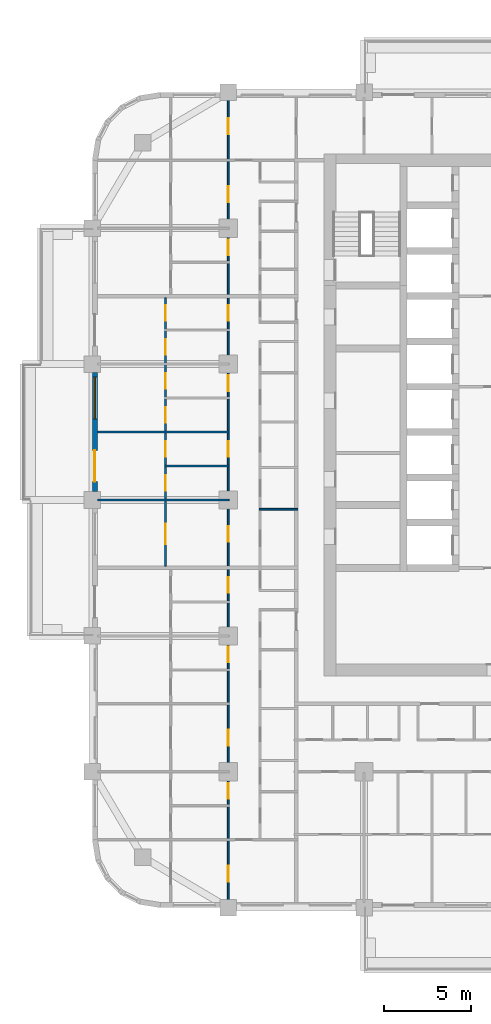
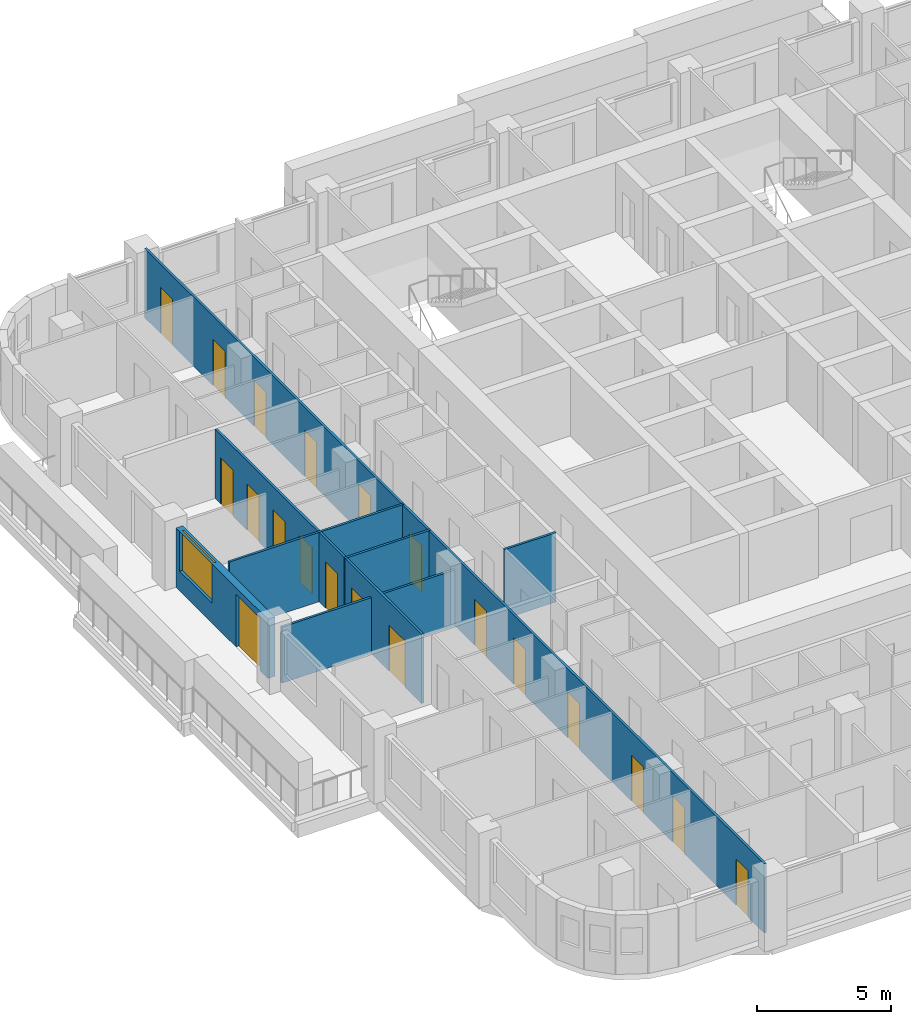
# One storey, part 5 of 17: 20 doors, 7 walls, 1 window, 21 openings.
"""IFC4 building model written with IfcOpenShell, lengths in metres."""

from ifc_helpers import new_model, si_unit, direction, frame, frame_2d, origin, place, context, subcontext, project, spatial, rectangle, extrude, material, layer, layer_set, type_object, element, fill, save


model = new_model("IFC4")

# Units and contexts
model_context = context("Model", 3, precision=1e-05, world=origin(), true_north=direction((0.0, 1.0)))
body_context = subcontext(model_context, "Body", "Model", "MODEL_VIEW")
ifc_project = project(units=[si_unit("LENGTHUNIT", "METRE"), si_unit("AREAUNIT", "SQUARE_METRE"), si_unit("VOLUMEUNIT", "CUBIC_METRE"), si_unit("PLANEANGLEUNIT", "RADIAN"), si_unit("MASSUNIT", "GRAM", prefix="KILO")], contexts=[model_context])

# Site, building, storey
site_placement = place(None, origin())
site = spatial("IfcSite", under=ifc_project, at=site_placement, CompositionType="ELEMENT")
building_placement = place(site_placement, origin())
building = spatial("IfcBuilding", under=site, at=building_placement, Name="Ludao Terraces", CompositionType="ELEMENT")
storey_placement = place(building_placement, frame((0.0, 0.0, 85.199951171875)))
storey = spatial("IfcBuildingStorey", under=building, at=storey_placement, Name="L23", CompositionType="ELEMENT", Elevation=85.199951171875)

# Wall, openings, door, window
ifc_material_1 = material(Name="Granite cladding", Category="masonry")
ifc_layer_1 = layer(ifc_material_1, 0.0400390625, Category="stone")
ifc_material_2 = material(Name="Mineral wool")
ifc_layer_2 = layer(ifc_material_2, 0.06005859375)
ifc_material_3 = material(Name="Concrete C40", Category="concrete")
ifc_layer_3 = layer(ifc_material_3, 0.199951171875, Category="concrete")
ifc_layer_set_1 = layer_set([ifc_layer_1, ifc_layer_2, ifc_layer_3], Name="ENV Stone-clad wall 300")
wall_type_1 = type_object("IfcWallType", Name="ENV Stone-clad wall 300", PredefinedType="SOLIDWALL", material=ifc_layer_set_1)
wall_1_placement = place(storey_placement, frame((61.75, 65.47509765625, 0.0), z_axis=(0.0, 0.0, 1.0), x_axis=(0.0, 1.0, 0.0)))
wall_1 = element("IfcWall", 1, at=wall_1_placement, inside=storey, type_object=wall_type_1, Name="EW-L23-W4", PredefinedType="SOLIDWALL", context=body_context, shape_type="SweptSolid", body=[
    extrude(rectangle(XDim=6.849853515625, YDim=0.300048828125, at=frame_2d((3.4248046875, 0.0))), origin(), (0.0, 0.0, 1.0), 2.699951171875),
])
opening_1_placement = place(wall_1_placement, frame((0.574951171875, 0.0, 0.0)))
opening_1 = element("IfcOpeningElement", 2, at=opening_1_placement, cuts=wall_1, Name="Opening BD", PredefinedType="OPENING", context=body_context, shape_type="SweptSolid", body=[
    extrude(rectangle(XDim=1.800048828125, YDim=2.39990234375, at=frame_2d((0.89990234375, 1.199951171875))), frame((0.0, 0.16015625, 0.0), z_axis=(0.0, -1.0, 0.0), x_axis=(1.0, 0.0, 0.0)), (0.0, 0.0, 1.0), 0.320068359375),
])
opening_2_placement = place(wall_1_placement, frame((4.175048828125, 0.0, 0.89990234375)))
opening_2 = element("IfcOpeningElement", 3, at=opening_2_placement, cuts=wall_1, Name="Opening W1", PredefinedType="OPENING", context=body_context, shape_type="SweptSolid", body=[
    extrude(rectangle(XDim=2.39990234375, YDim=1.800048828125, at=frame_2d((1.199951171875, 0.89990234375))), frame((0.0, 0.16015625, 0.0), z_axis=(0.0, -1.0, 0.0), x_axis=(1.0, 0.0, 0.0)), (0.0, 0.0, 1.0), 0.320068359375),
])
ifc_material_4 = material(Name="Aluminium glazed door", Category="aluminium")
ifc_layer_4 = layer(ifc_material_4, 0.06005859375)
ifc_layer_set_2 = layer_set([ifc_layer_4], Name="ENV Balcony door BD 1800x2400")
door_type_1 = type_object("IfcDoorType", Name="ENV Balcony door BD 1800x2400", OperationType="DOUBLE_DOOR_SINGLE_SWING", PredefinedType="DOOR", material=ifc_layer_set_2)
door_1_placement = place(opening_1_placement, origin())
door_1 = element("IfcDoor", 4, at=door_1_placement, inside=storey, type_object=door_type_1, Name="BD-L23-W4-1", OperationType="DOUBLE_DOOR_SINGLE_SWING", OverallHeight=2.39990234375, OverallWidth=1.800048828125, PredefinedType="DOOR", context=body_context, shape_type="SweptSolid", body=[
    extrude(rectangle(XDim=1.800048828125, YDim=2.39990234375, at=frame_2d((0.89990234375, 1.199951171875))), frame((0.0, 0.02490234375, 0.0), z_axis=(0.0, -1.0, 0.0), x_axis=(1.0, 0.0, 0.0)), (0.0, 0.0, 1.0), 0.050048828125),
])
fill(opening_1, door_1)
ifc_material_5 = material(Name="Clear glass in aluminium frame", Category="aluminium")
ifc_layer_5 = layer(ifc_material_5, 0.06005859375)
ifc_layer_set_3 = layer_set([ifc_layer_5], Name="ENV Window W1 2400x1800")
window_type = type_object("IfcWindowType", Name="ENV Window W1 2400x1800", PartitioningType="DOUBLE_PANEL_VERTICAL", PredefinedType="WINDOW", material=ifc_layer_set_3)
window_placement = place(opening_2_placement, origin())
window = element("IfcWindow", 5, at=window_placement, inside=storey, type_object=window_type, Name="W-L23-W4-2", OverallHeight=1.800048828125, OverallWidth=2.39990234375, PartitioningType="DOUBLE_PANEL_VERTICAL", PredefinedType="WINDOW", context=body_context, shape_type="SweptSolid", body=[
    extrude(rectangle(XDim=2.39990234375, YDim=1.800048828125, at=frame_2d((1.199951171875, 0.89990234375))), frame((0.0, 0.030029296875, 0.0), z_axis=(0.0, -1.0, 0.0), x_axis=(1.0, 0.0, 0.0)), (0.0, 0.0, 1.0), 0.06005859375),
])
fill(opening_2, window)

# Walls
ifc_material_6 = material(Name="Gypsum plasterboard", Category="gypsum")
ifc_layer_6 = layer(ifc_material_6, 0.012451171875, Category="gypsum")
ifc_layer_7 = layer(ifc_material_2, 0.06005859375, Name="insulation")
ifc_material_7 = material(Name="Steel Q235", Category="steel")
ifc_layer_8 = layer(ifc_material_7, 0.014892578125, Name="stud")
ifc_layer_9 = layer(ifc_material_6, 0.012451171875, Category="gypsum")
ifc_layer_set_4 = layer_set([ifc_layer_6, ifc_layer_7, ifc_layer_8, ifc_layer_9], Name="INT Partition 100")
wall_type_2 = type_object("IfcWallType", Name="INT Partition 100", PredefinedType="PARTITIONING", material=ifc_layer_set_4)
wall_2_placement = place(storey_placement, frame((71.18017578125, 64.469970703125, 0.0), z_axis=(0.0, 0.0, 1.0), x_axis=(1.0, 0.0, 0.0)))
element("IfcWall", 6, at=wall_2_placement, inside=storey, type_object=wall_type_2, Name="PW-L23-PW037", PredefinedType="PARTITIONING", context=body_context, shape_type="SweptSolid", body=[
    extrude(rectangle(XDim=2.219970703125, YDim=0.10009765625, at=frame_2d((1.10986328125, 0.0))), origin(), (0.0, 0.0, 1.0), 3.150146484375),
])
wall_3_placement = place(storey_placement, frame((61.900146484375, 65.0, 0.0), z_axis=(0.0, 0.0, 1.0), x_axis=(1.0, 0.0, 0.0)))
element("IfcWall", 7, at=wall_3_placement, inside=storey, type_object=wall_type_2, Name="PW-L23-PW038", PredefinedType="PARTITIONING", context=body_context, shape_type="SweptSolid", body=[
    extrude(rectangle(XDim=7.550048828125, YDim=0.10009765625, at=frame_2d((3.77490234375, 0.0))), origin(), (0.0, 0.0, 1.0), 2.550048828125),
])
wall_4_placement = place(storey_placement, frame((65.75, 66.949951171875, 0.0), z_axis=(0.0, 0.0, 1.0), x_axis=(1.0, 0.0, 0.0)))
element("IfcWall", 8, at=wall_4_placement, inside=storey, type_object=wall_type_2, Name="PW-L23-PW043", PredefinedType="PARTITIONING", context=body_context, shape_type="SweptSolid", body=[
    extrude(rectangle(XDim=3.7001953125, YDim=0.10009765625, at=frame_2d((1.85009765625, 0.0))), origin(), (0.0, 0.0, 1.0), 3.150146484375),
])
wall_5_placement = place(storey_placement, frame((61.900146484375, 68.89990234375, 0.0), z_axis=(0.0, 0.0, 1.0), x_axis=(1.0, 0.0, 0.0)))
element("IfcWall", 9, at=wall_5_placement, inside=storey, type_object=wall_type_2, Name="PW-L23-PW045", PredefinedType="PARTITIONING", context=body_context, shape_type="SweptSolid", body=[
    extrude(rectangle(XDim=7.550048828125, YDim=0.10009765625, at=frame_2d((3.77490234375, 0.0))), origin(), (0.0, 0.0, 1.0), 3.150146484375),
])

# Wall, openings, doors
wall_6_placement = place(storey_placement, frame((65.800048828125, 61.2001953125, 0.0), z_axis=(0.0, 0.0, 1.0), x_axis=(0.0, 1.0, 0.0)))
wall_6 = element("IfcWall", 10, at=wall_6_placement, inside=storey, type_object=wall_type_2, Name="PW-L23-PW079", PredefinedType="PARTITIONING", context=body_context, shape_type="SweptSolid", body=[
    extrude(rectangle(XDim=15.39990234375, YDim=0.10009765625, at=frame_2d((7.699951171875, 0.0))), origin(), (0.0, 0.0, 1.0), 3.150146484375),
])
opening_3_placement = place(wall_6_placement, frame((1.25, 0.0, 0.0)))
opening_3 = element("IfcOpeningElement", 11, at=opening_3_placement, cuts=wall_6, Name="Opening R07-078", PredefinedType="OPENING", context=body_context, shape_type="SweptSolid", body=[
    extrude(rectangle(XDim=1.199951171875, YDim=2.10009765625, at=frame_2d((0.60009765625, 1.050048828125))), frame((0.0, 0.06005859375, 0.0), z_axis=(0.0, -1.0, 0.0), x_axis=(1.0, 0.0, 0.0)), (0.0, 0.0, 1.0), 0.1201171875),
])
opening_4_placement = place(wall_6_placement, frame((4.324951171875, 0.0, 0.0)))
opening_4 = element("IfcOpeningElement", 12, at=opening_4_placement, cuts=wall_6, Name="Opening R07-086", PredefinedType="OPENING", context=body_context, shape_type="SweptSolid", body=[
    extrude(rectangle(XDim=0.89990234375, YDim=2.10009765625, at=frame_2d((0.449951171875, 1.050048828125))), frame((0.0, 0.06005859375, 0.0), z_axis=(0.0, -1.0, 0.0), x_axis=(1.0, 0.0, 0.0)), (0.0, 0.0, 1.0), 0.1201171875),
])
opening_5_placement = place(wall_6_placement, frame((6.27490234375, 0.0, 0.0)))
opening_5 = element("IfcOpeningElement", 13, at=opening_5_placement, cuts=wall_6, Name="Opening R07-094", PredefinedType="OPENING", context=body_context, shape_type="SweptSolid", body=[
    extrude(rectangle(XDim=0.89990234375, YDim=2.10009765625, at=frame_2d((0.449951171875, 1.050048828125))), frame((0.0, 0.06005859375, 0.0), z_axis=(0.0, -1.0, 0.0), x_axis=(1.0, 0.0, 0.0)), (0.0, 0.0, 1.0), 0.1201171875),
])
opening_6_placement = place(wall_6_placement, frame((8.224853515625, 0.0, 0.0)))
opening_6 = element("IfcOpeningElement", 14, at=opening_6_placement, cuts=wall_6, Name="Opening R07-098", PredefinedType="OPENING", context=body_context, shape_type="SweptSolid", body=[
    extrude(rectangle(XDim=0.89990234375, YDim=2.10009765625, at=frame_2d((0.449951171875, 1.050048828125))), frame((0.0, 0.06005859375, 0.0), z_axis=(0.0, -1.0, 0.0), x_axis=(1.0, 0.0, 0.0)), (0.0, 0.0, 1.0), 0.1201171875),
])
opening_7_placement = place(wall_6_placement, frame((10.1748046875, 0.0, 0.0)))
opening_7 = element("IfcOpeningElement", 15, at=opening_7_placement, cuts=wall_6, Name="Opening R07-106", PredefinedType="OPENING", context=body_context, shape_type="SweptSolid", body=[
    extrude(rectangle(XDim=0.89990234375, YDim=2.10009765625, at=frame_2d((0.449951171875, 1.050048828125))), frame((0.0, 0.06005859375, 0.0), z_axis=(0.0, -1.0, 0.0), x_axis=(1.0, 0.0, 0.0)), (0.0, 0.0, 1.0), 0.1201171875),
])
opening_8_placement = place(wall_6_placement, frame((12.125, 0.0, 0.0)))
opening_8 = element("IfcOpeningElement", 16, at=opening_8_placement, cuts=wall_6, Name="Opening R07-113", PredefinedType="OPENING", context=body_context, shape_type="SweptSolid", body=[
    extrude(rectangle(XDim=0.89990234375, YDim=2.10009765625, at=frame_2d((0.449951171875, 1.050048828125))), frame((0.0, 0.06005859375, 0.0), z_axis=(0.0, -1.0, 0.0), x_axis=(1.0, 0.0, 0.0)), (0.0, 0.0, 1.0), 0.1201171875),
])
opening_9_placement = place(wall_6_placement, frame((14.074951171875, 0.0, 0.0)))
opening_9 = element("IfcOpeningElement", 17, at=opening_9_placement, cuts=wall_6, Name="Opening R07-121", PredefinedType="OPENING", context=body_context, shape_type="SweptSolid", body=[
    extrude(rectangle(XDim=0.89990234375, YDim=2.10009765625, at=frame_2d((0.449951171875, 1.050048828125))), frame((0.0, 0.06005859375, 0.0), z_axis=(0.0, -1.0, 0.0), x_axis=(1.0, 0.0, 0.0)), (0.0, 0.0, 1.0), 0.1201171875),
])
ifc_material_8 = material(Name="Timber door leaf", Category="wood")
door_type_2 = type_object("IfcDoorType", Name="INT Bathroom door 900", OperationType="SINGLE_SWING_LEFT", PredefinedType="DOOR", material=ifc_material_8)
door_2_placement = place(opening_4_placement, origin())
door_2 = element("IfcDoor", 18, at=door_2_placement, inside=storey, type_object=door_type_2, Name="DOOR 086", OperationType="SINGLE_SWING_LEFT", OverallHeight=2.10009765625, OverallWidth=0.89990234375, PredefinedType="DOOR", context=body_context, shape_type="SweptSolid", body=[
    extrude(rectangle(XDim=0.89990234375, YDim=2.10009765625, at=frame_2d((0.449951171875, 1.050048828125))), frame((0.0, 0.02490234375, 0.0), z_axis=(0.0, -1.0, 0.0), x_axis=(1.0, 0.0, 0.0)), (0.0, 0.0, 1.0), 0.050048828125),
])
fill(opening_4, door_2)
door_3_placement = place(opening_6_placement, origin())
door_3 = element("IfcDoor", 19, at=door_3_placement, inside=storey, type_object=door_type_2, Name="DOOR 098", OperationType="SINGLE_SWING_RIGHT", OverallHeight=2.10009765625, OverallWidth=0.89990234375, PredefinedType="DOOR", context=body_context, shape_type="SweptSolid", body=[
    extrude(rectangle(XDim=0.89990234375, YDim=2.10009765625, at=frame_2d((0.449951171875, 1.050048828125))), frame((0.0, 0.02490234375, 0.0), z_axis=(0.0, -1.0, 0.0), x_axis=(1.0, 0.0, 0.0)), (0.0, 0.0, 1.0), 0.050048828125),
])
fill(opening_6, door_3)
door_4_placement = place(opening_8_placement, origin())
door_4 = element("IfcDoor", 20, at=door_4_placement, inside=storey, type_object=door_type_2, Name="DOOR 113", OperationType="SINGLE_SWING_RIGHT", OverallHeight=2.10009765625, OverallWidth=0.89990234375, PredefinedType="DOOR", context=body_context, shape_type="SweptSolid", body=[
    extrude(rectangle(XDim=0.89990234375, YDim=2.10009765625, at=frame_2d((0.449951171875, 1.050048828125))), frame((0.0, 0.02490234375, 0.0), z_axis=(0.0, -1.0, 0.0), x_axis=(1.0, 0.0, 0.0)), (0.0, 0.0, 1.0), 0.050048828125),
])
fill(opening_8, door_4)
door_type_3 = type_object("IfcDoorType", Name="INT Double door 1200", OperationType="DOUBLE_DOOR_SINGLE_SWING", PredefinedType="DOOR", material=ifc_material_8)
door_5_placement = place(opening_3_placement, origin())
door_5 = element("IfcDoor", 21, at=door_5_placement, inside=storey, type_object=door_type_3, Name="DOOR 078", OperationType="DOUBLE_DOOR_SINGLE_SWING", OverallHeight=2.10009765625, OverallWidth=1.199951171875, PredefinedType="DOOR", context=body_context, shape_type="SweptSolid", body=[
    extrude(rectangle(XDim=1.199951171875, YDim=2.10009765625, at=frame_2d((0.60009765625, 1.050048828125))), frame((0.0, 0.02490234375, 0.0), z_axis=(0.0, -1.0, 0.0), x_axis=(1.0, 0.0, 0.0)), (0.0, 0.0, 1.0), 0.050048828125),
])
fill(opening_3, door_5)
door_type_4 = type_object("IfcDoorType", Name="INT Room door 900", OperationType="SINGLE_SWING_LEFT", PredefinedType="DOOR", material=ifc_material_8)
door_6_placement = place(opening_5_placement, origin())
door_6 = element("IfcDoor", 22, at=door_6_placement, inside=storey, type_object=door_type_4, Name="DOOR 094", OperationType="SINGLE_SWING_RIGHT", OverallHeight=2.10009765625, OverallWidth=0.89990234375, PredefinedType="DOOR", context=body_context, shape_type="SweptSolid", body=[
    extrude(rectangle(XDim=0.89990234375, YDim=2.10009765625, at=frame_2d((0.449951171875, 1.050048828125))), frame((0.0, 0.02490234375, 0.0), z_axis=(0.0, -1.0, 0.0), x_axis=(1.0, 0.0, 0.0)), (0.0, 0.0, 1.0), 0.050048828125),
])
fill(opening_5, door_6)
door_7_placement = place(opening_7_placement, origin())
door_7 = element("IfcDoor", 23, at=door_7_placement, inside=storey, type_object=door_type_4, Name="DOOR 106", OperationType="SINGLE_SWING_LEFT", OverallHeight=2.10009765625, OverallWidth=0.89990234375, PredefinedType="DOOR", context=body_context, shape_type="SweptSolid", body=[
    extrude(rectangle(XDim=0.89990234375, YDim=2.10009765625, at=frame_2d((0.449951171875, 1.050048828125))), frame((0.0, 0.02490234375, 0.0), z_axis=(0.0, -1.0, 0.0), x_axis=(1.0, 0.0, 0.0)), (0.0, 0.0, 1.0), 0.050048828125),
])
fill(opening_7, door_7)
door_8_placement = place(opening_9_placement, origin())
door_8 = element("IfcDoor", 24, at=door_8_placement, inside=storey, type_object=door_type_4, Name="DOOR 121", OperationType="SINGLE_SWING_LEFT", OverallHeight=2.10009765625, OverallWidth=0.89990234375, PredefinedType="DOOR", context=body_context, shape_type="SweptSolid", body=[
    extrude(rectangle(XDim=0.89990234375, YDim=2.10009765625, at=frame_2d((0.449951171875, 1.050048828125))), frame((0.0, 0.02490234375, 0.0), z_axis=(0.0, -1.0, 0.0), x_axis=(1.0, 0.0, 0.0)), (0.0, 0.0, 1.0), 0.050048828125),
])
fill(opening_9, door_8)

wall_7_placement = place(storey_placement, frame((69.39990234375, 41.900146484375, 0.0), z_axis=(0.0, 0.0, 1.0), x_axis=(0.0, 1.0, 0.0)))
wall_7 = element("IfcWall", 25, at=wall_7_placement, inside=storey, type_object=wall_type_2, Name="PW-L23-PW082", PredefinedType="PARTITIONING", context=body_context, shape_type="SweptSolid", body=[
    extrude(rectangle(XDim=46.199951171875, YDim=0.10009765625, at=frame_2d((23.10009765625, 0.0))), origin(), (0.0, 0.0, 1.0), 3.150146484375),
])
opening_10_placement = place(wall_7_placement, frame((1.199951171875, 0.0, 0.0)))
opening_10 = element("IfcOpeningElement", 26, at=opening_10_placement, cuts=wall_7, Name="Opening R07-002", PredefinedType="OPENING", context=body_context, shape_type="SweptSolid", body=[
    extrude(rectangle(XDim=0.89990234375, YDim=2.10009765625, at=frame_2d((0.449951171875, 1.050048828125))), frame((0.0, 0.06005859375, 0.0), z_axis=(0.0, -1.0, 0.0), x_axis=(1.0, 0.0, 0.0)), (0.0, 0.0, 1.0), 0.1201171875),
])
opening_11_placement = place(wall_7_placement, frame((5.949951171875, 0.0, 0.0)))
opening_11 = element("IfcOpeningElement", 27, at=opening_11_placement, cuts=wall_7, Name="Opening R07-022", PredefinedType="OPENING", context=body_context, shape_type="SweptSolid", body=[
    extrude(rectangle(XDim=0.89990234375, YDim=2.10009765625, at=frame_2d((0.449951171875, 1.050048828125))), frame((0.0, 0.06005859375, 0.0), z_axis=(0.0, -1.0, 0.0), x_axis=(1.0, 0.0, 0.0)), (0.0, 0.0, 1.0), 0.1201171875),
])
opening_12_placement = place(wall_7_placement, frame((9.0, 0.0, 0.0)))
opening_12 = element("IfcOpeningElement", 28, at=opening_12_placement, cuts=wall_7, Name="Opening R07-042", PredefinedType="OPENING", context=body_context, shape_type="SweptSolid", body=[
    extrude(rectangle(XDim=0.89990234375, YDim=2.10009765625, at=frame_2d((0.449951171875, 1.050048828125))), frame((0.0, 0.06005859375, 0.0), z_axis=(0.0, -1.0, 0.0), x_axis=(1.0, 0.0, 0.0)), (0.0, 0.0, 1.0), 0.1201171875),
])
opening_13_placement = place(wall_7_placement, frame((13.77490234375, 0.0, 0.0)))
opening_13 = element("IfcOpeningElement", 29, at=opening_13_placement, cuts=wall_7, Name="Opening R07-054", PredefinedType="OPENING", context=body_context, shape_type="SweptSolid", body=[
    extrude(rectangle(XDim=0.89990234375, YDim=2.10009765625, at=frame_2d((0.449951171875, 1.050048828125))), frame((0.0, 0.06005859375, 0.0), z_axis=(0.0, -1.0, 0.0), x_axis=(1.0, 0.0, 0.0)), (0.0, 0.0, 1.0), 0.1201171875),
])
opening_14_placement = place(wall_7_placement, frame((17.77490234375, 0.0, 0.0)))
opening_14 = element("IfcOpeningElement", 30, at=opening_14_placement, cuts=wall_7, Name="Opening R07-067", PredefinedType="OPENING", context=body_context, shape_type="SweptSolid", body=[
    extrude(rectangle(XDim=0.89990234375, YDim=2.10009765625, at=frame_2d((0.449951171875, 1.050048828125))), frame((0.0, 0.06005859375, 0.0), z_axis=(0.0, -1.0, 0.0), x_axis=(1.0, 0.0, 0.0)), (0.0, 0.0, 1.0), 0.1201171875),
])
opening_15_placement = place(wall_7_placement, frame((20.699951171875, 0.0, 0.0)))
opening_15 = element("IfcOpeningElement", 31, at=opening_15_placement, cuts=wall_7, Name="Opening R07-079", PredefinedType="OPENING", context=body_context, shape_type="SweptSolid", body=[
    extrude(rectangle(XDim=0.89990234375, YDim=2.10009765625, at=frame_2d((0.449951171875, 1.050048828125))), frame((0.0, 0.06005859375, 0.0), z_axis=(0.0, -1.0, 0.0), x_axis=(1.0, 0.0, 0.0)), (0.0, 0.0, 1.0), 0.1201171875),
])
opening_16_placement = place(wall_7_placement, frame((25.574951171875, 0.0, 0.0)))
opening_16 = element("IfcOpeningElement", 32, at=opening_16_placement, cuts=wall_7, Name="Opening R07-095", PredefinedType="OPENING", context=body_context, shape_type="SweptSolid", body=[
    extrude(rectangle(XDim=0.89990234375, YDim=2.10009765625, at=frame_2d((0.449951171875, 1.050048828125))), frame((0.0, 0.06005859375, 0.0), z_axis=(0.0, -1.0, 0.0), x_axis=(1.0, 0.0, 0.0)), (0.0, 0.0, 1.0), 0.1201171875),
])
opening_17_placement = place(wall_7_placement, frame((29.35009765625, 0.0, 0.0)))
opening_17 = element("IfcOpeningElement", 33, at=opening_17_placement, cuts=wall_7, Name="Opening R07-104", PredefinedType="OPENING", context=body_context, shape_type="SweptSolid", body=[
    extrude(rectangle(XDim=0.89990234375, YDim=2.10009765625, at=frame_2d((0.449951171875, 1.050048828125))), frame((0.0, 0.06005859375, 0.0), z_axis=(0.0, -1.0, 0.0), x_axis=(1.0, 0.0, 0.0)), (0.0, 0.0, 1.0), 0.1201171875),
])
opening_18_placement = place(wall_7_placement, frame((33.375, 0.0, 0.0)))
opening_18 = element("IfcOpeningElement", 34, at=opening_18_placement, cuts=wall_7, Name="Opening R07-122", PredefinedType="OPENING", context=body_context, shape_type="SweptSolid", body=[
    extrude(rectangle(XDim=0.89990234375, YDim=2.10009765625, at=frame_2d((0.449951171875, 1.050048828125))), frame((0.0, 0.06005859375, 0.0), z_axis=(0.0, -1.0, 0.0), x_axis=(1.0, 0.0, 0.0)), (0.0, 0.0, 1.0), 0.1201171875),
])
opening_19_placement = place(wall_7_placement, frame((37.14990234375, 0.0, 0.0)))
opening_19 = element("IfcOpeningElement", 35, at=opening_19_placement, cuts=wall_7, Name="Opening R07-137", PredefinedType="OPENING", context=body_context, shape_type="SweptSolid", body=[
    extrude(rectangle(XDim=0.89990234375, YDim=2.10009765625, at=frame_2d((0.449951171875, 1.050048828125))), frame((0.0, 0.06005859375, 0.0), z_axis=(0.0, -1.0, 0.0), x_axis=(1.0, 0.0, 0.0)), (0.0, 0.0, 1.0), 0.1201171875),
])
opening_20_placement = place(wall_7_placement, frame((40.199951171875, 0.0, 0.0)))
opening_20 = element("IfcOpeningElement", 36, at=opening_20_placement, cuts=wall_7, Name="Opening R07-146", PredefinedType="OPENING", context=body_context, shape_type="SweptSolid", body=[
    extrude(rectangle(XDim=0.89990234375, YDim=2.10009765625, at=frame_2d((0.449951171875, 1.050048828125))), frame((0.0, 0.06005859375, 0.0), z_axis=(0.0, -1.0, 0.0), x_axis=(1.0, 0.0, 0.0)), (0.0, 0.0, 1.0), 0.1201171875),
])
opening_21_placement = place(wall_7_placement, frame((44.10009765625, 0.0, 0.0)))
opening_21 = element("IfcOpeningElement", 37, at=opening_21_placement, cuts=wall_7, Name="Opening R07-156", PredefinedType="OPENING", context=body_context, shape_type="SweptSolid", body=[
    extrude(rectangle(XDim=0.89990234375, YDim=2.10009765625, at=frame_2d((0.449951171875, 1.050048828125))), frame((0.0, 0.06005859375, 0.0), z_axis=(0.0, -1.0, 0.0), x_axis=(1.0, 0.0, 0.0)), (0.0, 0.0, 1.0), 0.1201171875),
])
door_9_placement = place(opening_10_placement, origin())
door_9 = element("IfcDoor", 38, at=door_9_placement, inside=storey, type_object=door_type_4, Name="DOOR 002", OperationType="SINGLE_SWING_LEFT", OverallHeight=2.10009765625, OverallWidth=0.89990234375, PredefinedType="DOOR", context=body_context, shape_type="SweptSolid", body=[
    extrude(rectangle(XDim=0.89990234375, YDim=2.10009765625, at=frame_2d((0.449951171875, 1.050048828125))), frame((0.0, 0.02490234375, 0.0), z_axis=(0.0, -1.0, 0.0), x_axis=(1.0, 0.0, 0.0)), (0.0, 0.0, 1.0), 0.050048828125),
])
fill(opening_10, door_9)
door_10_placement = place(opening_11_placement, origin())
door_10 = element("IfcDoor", 39, at=door_10_placement, inside=storey, type_object=door_type_4, Name="DOOR 022", OperationType="SINGLE_SWING_LEFT", OverallHeight=2.10009765625, OverallWidth=0.89990234375, PredefinedType="DOOR", context=body_context, shape_type="SweptSolid", body=[
    extrude(rectangle(XDim=0.89990234375, YDim=2.10009765625, at=frame_2d((0.449951171875, 1.050048828125))), frame((0.0, 0.02490234375, 0.0), z_axis=(0.0, -1.0, 0.0), x_axis=(1.0, 0.0, 0.0)), (0.0, 0.0, 1.0), 0.050048828125),
])
fill(opening_11, door_10)
door_11_placement = place(opening_12_placement, origin())
door_11 = element("IfcDoor", 40, at=door_11_placement, inside=storey, type_object=door_type_4, Name="DOOR 042", OperationType="SINGLE_SWING_RIGHT", OverallHeight=2.10009765625, OverallWidth=0.89990234375, PredefinedType="DOOR", context=body_context, shape_type="SweptSolid", body=[
    extrude(rectangle(XDim=0.89990234375, YDim=2.10009765625, at=frame_2d((0.449951171875, 1.050048828125))), frame((0.0, 0.02490234375, 0.0), z_axis=(0.0, -1.0, 0.0), x_axis=(1.0, 0.0, 0.0)), (0.0, 0.0, 1.0), 0.050048828125),
])
fill(opening_12, door_11)
door_12_placement = place(opening_13_placement, origin())
door_12 = element("IfcDoor", 41, at=door_12_placement, inside=storey, type_object=door_type_4, Name="DOOR 054", OperationType="SINGLE_SWING_LEFT", OverallHeight=2.10009765625, OverallWidth=0.89990234375, PredefinedType="DOOR", context=body_context, shape_type="SweptSolid", body=[
    extrude(rectangle(XDim=0.89990234375, YDim=2.10009765625, at=frame_2d((0.449951171875, 1.050048828125))), frame((0.0, 0.02490234375, 0.0), z_axis=(0.0, -1.0, 0.0), x_axis=(1.0, 0.0, 0.0)), (0.0, 0.0, 1.0), 0.050048828125),
])
fill(opening_13, door_12)
door_13_placement = place(opening_14_placement, origin())
door_13 = element("IfcDoor", 42, at=door_13_placement, inside=storey, type_object=door_type_4, Name="DOOR 067", OperationType="SINGLE_SWING_RIGHT", OverallHeight=2.10009765625, OverallWidth=0.89990234375, PredefinedType="DOOR", context=body_context, shape_type="SweptSolid", body=[
    extrude(rectangle(XDim=0.89990234375, YDim=2.10009765625, at=frame_2d((0.449951171875, 1.050048828125))), frame((0.0, 0.02490234375, 0.0), z_axis=(0.0, -1.0, 0.0), x_axis=(1.0, 0.0, 0.0)), (0.0, 0.0, 1.0), 0.050048828125),
])
fill(opening_14, door_13)
door_14_placement = place(opening_15_placement, origin())
door_14 = element("IfcDoor", 43, at=door_14_placement, inside=storey, type_object=door_type_4, Name="DOOR 079", OperationType="SINGLE_SWING_LEFT", OverallHeight=2.10009765625, OverallWidth=0.89990234375, PredefinedType="DOOR", context=body_context, shape_type="SweptSolid", body=[
    extrude(rectangle(XDim=0.89990234375, YDim=2.10009765625, at=frame_2d((0.449951171875, 1.050048828125))), frame((0.0, 0.02490234375, 0.0), z_axis=(0.0, -1.0, 0.0), x_axis=(1.0, 0.0, 0.0)), (0.0, 0.0, 1.0), 0.050048828125),
])
fill(opening_15, door_14)
door_15_placement = place(opening_16_placement, origin())
door_15 = element("IfcDoor", 44, at=door_15_placement, inside=storey, type_object=door_type_4, Name="DOOR 095", OperationType="SINGLE_SWING_LEFT", OverallHeight=2.10009765625, OverallWidth=0.89990234375, PredefinedType="DOOR", context=body_context, shape_type="SweptSolid", body=[
    extrude(rectangle(XDim=0.89990234375, YDim=2.10009765625, at=frame_2d((0.449951171875, 1.050048828125))), frame((0.0, 0.02490234375, 0.0), z_axis=(0.0, -1.0, 0.0), x_axis=(1.0, 0.0, 0.0)), (0.0, 0.0, 1.0), 0.050048828125),
])
fill(opening_16, door_15)
door_16_placement = place(opening_17_placement, origin())
door_16 = element("IfcDoor", 45, at=door_16_placement, inside=storey, type_object=door_type_4, Name="DOOR 104", OperationType="SINGLE_SWING_LEFT", OverallHeight=2.10009765625, OverallWidth=0.89990234375, PredefinedType="DOOR", context=body_context, shape_type="SweptSolid", body=[
    extrude(rectangle(XDim=0.89990234375, YDim=2.10009765625, at=frame_2d((0.449951171875, 1.050048828125))), frame((0.0, 0.02490234375, 0.0), z_axis=(0.0, -1.0, 0.0), x_axis=(1.0, 0.0, 0.0)), (0.0, 0.0, 1.0), 0.050048828125),
])
fill(opening_17, door_16)
door_17_placement = place(opening_18_placement, origin())
door_17 = element("IfcDoor", 46, at=door_17_placement, inside=storey, type_object=door_type_4, Name="DOOR 122", OperationType="SINGLE_SWING_RIGHT", OverallHeight=2.10009765625, OverallWidth=0.89990234375, PredefinedType="DOOR", context=body_context, shape_type="SweptSolid", body=[
    extrude(rectangle(XDim=0.89990234375, YDim=2.10009765625, at=frame_2d((0.449951171875, 1.050048828125))), frame((0.0, 0.02490234375, 0.0), z_axis=(0.0, -1.0, 0.0), x_axis=(1.0, 0.0, 0.0)), (0.0, 0.0, 1.0), 0.050048828125),
])
fill(opening_18, door_17)
door_18_placement = place(opening_19_placement, origin())
door_18 = element("IfcDoor", 47, at=door_18_placement, inside=storey, type_object=door_type_4, Name="DOOR 137", OperationType="SINGLE_SWING_LEFT", OverallHeight=2.10009765625, OverallWidth=0.89990234375, PredefinedType="DOOR", context=body_context, shape_type="SweptSolid", body=[
    extrude(rectangle(XDim=0.89990234375, YDim=2.10009765625, at=frame_2d((0.449951171875, 1.050048828125))), frame((0.0, 0.02490234375, 0.0), z_axis=(0.0, -1.0, 0.0), x_axis=(1.0, 0.0, 0.0)), (0.0, 0.0, 1.0), 0.050048828125),
])
fill(opening_19, door_18)
door_19_placement = place(opening_20_placement, origin())
door_19 = element("IfcDoor", 48, at=door_19_placement, inside=storey, type_object=door_type_4, Name="DOOR 146", OperationType="SINGLE_SWING_RIGHT", OverallHeight=2.10009765625, OverallWidth=0.89990234375, PredefinedType="DOOR", context=body_context, shape_type="SweptSolid", body=[
    extrude(rectangle(XDim=0.89990234375, YDim=2.10009765625, at=frame_2d((0.449951171875, 1.050048828125))), frame((0.0, 0.02490234375, 0.0), z_axis=(0.0, -1.0, 0.0), x_axis=(1.0, 0.0, 0.0)), (0.0, 0.0, 1.0), 0.050048828125),
])
fill(opening_20, door_19)
door_20_placement = place(opening_21_placement, origin())
door_20 = element("IfcDoor", 49, at=door_20_placement, inside=storey, type_object=door_type_4, Name="DOOR 156", OperationType="SINGLE_SWING_RIGHT", OverallHeight=2.10009765625, OverallWidth=0.89990234375, PredefinedType="DOOR", context=body_context, shape_type="SweptSolid", body=[
    extrude(rectangle(XDim=0.89990234375, YDim=2.10009765625, at=frame_2d((0.449951171875, 1.050048828125))), frame((0.0, 0.02490234375, 0.0), z_axis=(0.0, -1.0, 0.0), x_axis=(1.0, 0.0, 0.0)), (0.0, 0.0, 1.0), 0.050048828125),
])
fill(opening_21, door_20)

save(model, "model.ifc")
